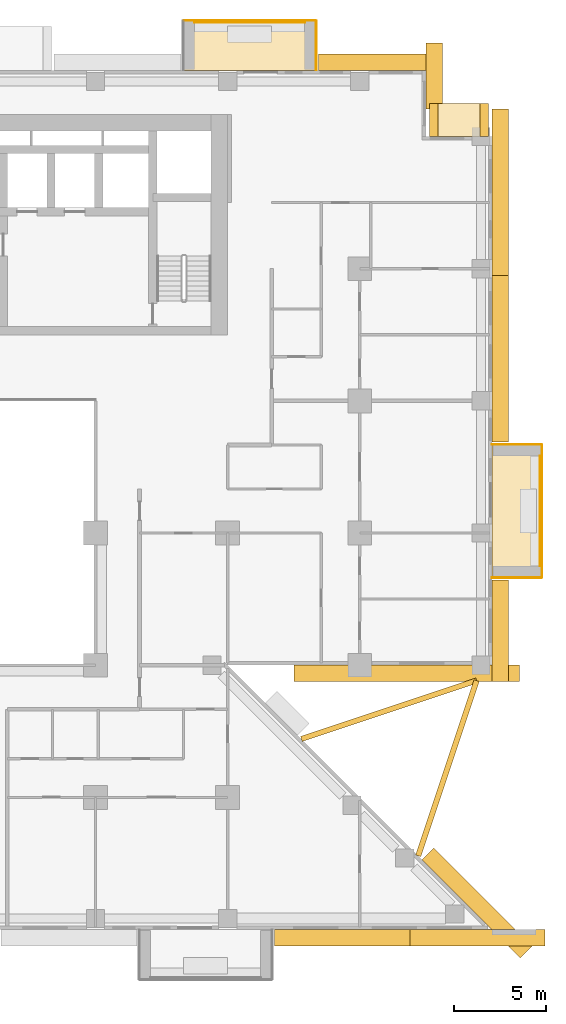
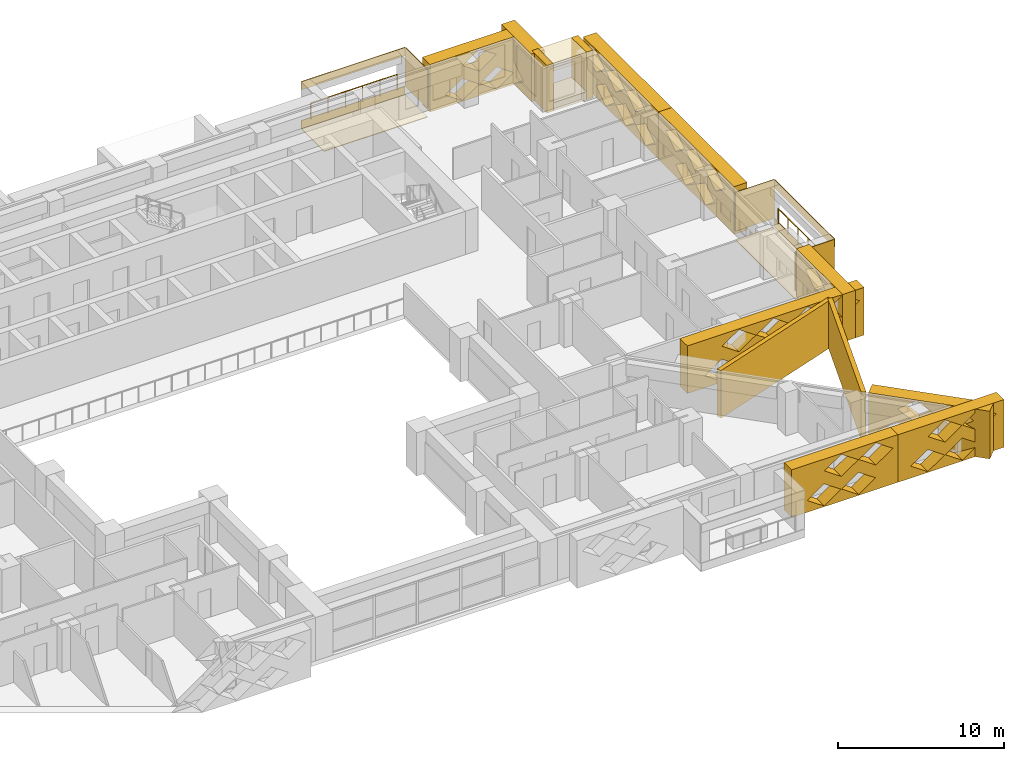
# One storey, part 16 of 16: 24 coverings, 2 railings.
"""IFC4 building model written with IfcOpenShell, lengths in metres."""

from ifc_helpers import new_model, si_unit, direction, frame, origin, origin_2d, place, context, subcontext, project, spatial, polyline, circle, outline, extrude, material, layer, layer_set, type_object, element, save


model = new_model("IFC4")

# Units and contexts
model_context = context("Model", 3, precision=1e-05, world=origin(), true_north=direction((0.0, 1.0)))
body_context = subcontext(model_context, "Body", "Model", "MODEL_VIEW")
ifc_project = project(units=[si_unit("LENGTHUNIT", "METRE"), si_unit("AREAUNIT", "SQUARE_METRE"), si_unit("VOLUMEUNIT", "CUBIC_METRE"), si_unit("PLANEANGLEUNIT", "RADIAN"), si_unit("MASSUNIT", "GRAM", prefix="KILO")], contexts=[model_context])

# Site, building, storey
site_placement = place(None, origin())
site = spatial("IfcSite", under=ifc_project, at=site_placement, CompositionType="ELEMENT")
building_placement = place(site_placement, origin())
building = spatial("IfcBuilding", under=site, at=building_placement, Name="Saffron Iwan Residences", CompositionType="ELEMENT")
storey_placement = place(building_placement, frame((0.0, 0.0, 69.0)))
storey = spatial("IfcBuildingStorey", under=building, at=storey_placement, Name="L17", CompositionType="ELEMENT", Elevation=69.0)

# Railings
ifc_material_1 = material(Name="Stainless steel 316", Category="steel")
railing_type = type_object("IfcRailingType", Name="BALCONY GUARD 1150", PredefinedType="GUARDRAIL", material=ifc_material_1)
railing_1_placement = place(storey_placement, frame((89.02490234375, 53.39990234375, 0.0)))
element("IfcRailing", 1, at=railing_1_placement, inside=storey, type_object=railing_type, Name="Balcony guard L17 F2-0", PredefinedType="GUARDRAIL", context=body_context, shape_type="SweptSolid", body=[
    extrude(circle(Radius=0.02392578125, at=origin_2d()), frame((0.0, 0.0, 1.1259765625), z_axis=(0.0, 1.0, 0.0), x_axis=(-1.0, 0.0, 0.0)), (0.0, 0.0, 1.0), 6.0),
    extrude(circle(Radius=0.02099609375, at=origin_2d()), origin(), (0.0, 0.0, 1.0), 1.101806640625),
    extrude(circle(Radius=0.02099609375, at=origin_2d()), frame((0.0, 1.199951171875, 0.0)), (0.0, 0.0, 1.0), 1.101806640625),
    extrude(circle(Radius=0.02099609375, at=origin_2d()), frame((0.0, 2.39990234375, 0.0)), (0.0, 0.0, 1.0), 1.101806640625),
    extrude(circle(Radius=0.02099609375, at=origin_2d()), frame((0.0, 3.60009765625, 0.0)), (0.0, 0.0, 1.0), 1.101806640625),
    extrude(circle(Radius=0.02099609375, at=origin_2d()), frame((0.0, 4.800048828125, 0.0)), (0.0, 0.0, 1.0), 1.101806640625),
    extrude(circle(Radius=0.02099609375, at=origin_2d()), frame((0.0, 6.0, 0.0)), (0.0, 0.0, 1.0), 1.101806640625),
])
railing_2_placement = place(storey_placement, frame((76.199951171875, 83.02490234375, 0.0)))
element("IfcRailing", 2, at=railing_2_placement, inside=storey, type_object=railing_type, Name="Balcony guard L17 F5-0", PredefinedType="GUARDRAIL", context=body_context, shape_type="SweptSolid", body=[
    extrude(circle(Radius=0.02392578125, at=origin_2d()), frame((0.0, 0.0, 1.1259765625), z_axis=(-1.0, 0.0, 0.0), x_axis=(0.0, -1.0, 0.0)), (0.0, 0.0, 1.0), 6.0),
    extrude(circle(Radius=0.02099609375, at=origin_2d()), origin(), (0.0, 0.0, 1.0), 1.101806640625),
    extrude(circle(Radius=0.02099609375, at=origin_2d()), frame((-1.199951171875, 0.0, 0.0)), (0.0, 0.0, 1.0), 1.101806640625),
    extrude(circle(Radius=0.02099609375, at=origin_2d()), frame((-2.39990234375, 0.0, 0.0)), (0.0, 0.0, 1.0), 1.101806640625),
    extrude(circle(Radius=0.02099609375, at=origin_2d()), frame((-3.60009765625, 0.0, 0.0)), (0.0, 0.0, 1.0), 1.101806640625),
    extrude(circle(Radius=0.02099609375, at=origin_2d()), frame((-4.800048828125, 0.0, 0.0)), (0.0, 0.0, 1.0), 1.101806640625),
    extrude(circle(Radius=0.02099609375, at=origin_2d()), frame((-6.0, 0.0, 0.0)), (0.0, 0.0, 1.0), 1.101806640625),
])

# Coverings
ifc_material_2 = material(Name="Precast concrete C40/50 white painted", Category="concrete")
ifc_layer_1 = layer(ifc_material_2, 0.050048828125)
ifc_layer_set_1 = layer_set([ifc_layer_1], Name="Precast concrete C40/50 white painted")
covering_type_1 = type_object("IfcCoveringType", Name="FRAME SKIN PRECAST WHITE 50", PredefinedType="CLADDING", material=ifc_layer_set_1)
for number, where, name in (
    (3, (0.0, 0.0, -0.60009765625), "Frame skin slab edge L17 F2-0"),
    (4, (0.0, 0.0, 2.25), "Frame skin fascia L17 F2-0"),
):
    element("IfcCovering", number, at=place(storey_placement, frame(where)), inside=storey, type_object=covering_type_1, Name=name, PredefinedType="CLADDING", context=body_context, shape_type="SweptSolid", body=[
        extrude(outline(polyline([(89.14990234375, 52.800048828125), (89.14990234375, 60.0), (89.10009765625, 60.0), (89.10009765625, 52.800048828125), (89.14990234375, 52.800048828125)])), origin(), (0.0, 0.0, 1.0), 0.60009765625),
    ])
covering_1_placement = place(storey_placement, frame((0.0, 0.0, -0.64990234375)))
element("IfcCovering", 5, at=covering_1_placement, inside=storey, type_object=covering_type_1, Name="Frame skin soffit L17 F2-0", PredefinedType="CLADDING", context=body_context, shape_type="SweptSolid", body=[
    extrude(outline(polyline([(89.10009765625, 52.800048828125), (89.10009765625, 60.0), (86.39990234375, 60.0), (86.39990234375, 52.800048828125), (89.10009765625, 52.800048828125)])), origin(), (0.0, 0.0, 1.0), 0.0498046875),
])
covering_2_placement = place(storey_placement, origin())
element("IfcCovering", 6, at=covering_2_placement, inside=storey, type_object=covering_type_1, Name="Frame skin fin L17 F2-0a", PredefinedType="CLADDING", context=body_context, shape_type="SweptSolid", body=[
    extrude(outline(polyline([(89.10009765625, 52.75), (89.10009765625, 52.800048828125), (86.39990234375, 52.800048828125), (86.39990234375, 52.75), (89.10009765625, 52.75)])), origin(), (0.0, 0.0, 1.0), 2.85009765625),
])
covering_3_placement = place(storey_placement, origin())
element("IfcCovering", 7, at=covering_3_placement, inside=storey, type_object=covering_type_1, Name="Frame skin fin L17 F2-0b", PredefinedType="CLADDING", context=body_context, shape_type="SweptSolid", body=[
    extrude(outline(polyline([(89.10009765625, 60.0), (89.10009765625, 60.050048828125), (86.39990234375, 60.050048828125), (86.39990234375, 60.0), (89.10009765625, 60.0)])), origin(), (0.0, 0.0, 1.0), 2.85009765625),
])
for number, where, name in (
    (8, (0.0, 0.0, -0.60009765625), "Frame skin slab edge L17 F5-0"),
    (9, (0.0, 0.0, 2.25), "Frame skin fascia L17 F5-0"),
):
    element("IfcCovering", number, at=place(storey_placement, frame(where)), inside=storey, type_object=covering_type_1, Name=name, PredefinedType="CLADDING", context=body_context, shape_type="SweptSolid", body=[
        extrude(outline(polyline([(76.800048828125, 83.14990234375), (69.60009765625, 83.14990234375), (69.60009765625, 83.10009765625), (76.800048828125, 83.10009765625), (76.800048828125, 83.14990234375)])), origin(), (0.0, 0.0, 1.0), 0.60009765625),
    ])
covering_4_placement = place(storey_placement, frame((0.0, 0.0, -0.64990234375)))
element("IfcCovering", 10, at=covering_4_placement, inside=storey, type_object=covering_type_1, Name="Frame skin soffit L17 F5-0", PredefinedType="CLADDING", context=body_context, shape_type="SweptSolid", body=[
    extrude(outline(polyline([(76.800048828125, 83.10009765625), (69.60009765625, 83.10009765625), (69.60009765625, 80.39990234375), (76.800048828125, 80.39990234375), (76.800048828125, 83.10009765625)])), origin(), (0.0, 0.0, 1.0), 0.0498046875),
])
covering_5_placement = place(storey_placement, origin())
element("IfcCovering", 11, at=covering_5_placement, inside=storey, type_object=covering_type_1, Name="Frame skin fin L17 F5-0a", PredefinedType="CLADDING", context=body_context, shape_type="SweptSolid", body=[
    extrude(outline(polyline([(76.85009765625, 83.10009765625), (76.800048828125, 83.10009765625), (76.800048828125, 80.39990234375), (76.85009765625, 80.39990234375), (76.85009765625, 83.10009765625)])), origin(), (0.0, 0.0, 1.0), 2.85009765625),
])
ifc_material_3 = material(Name="Precast concrete C40/50", Category="concrete")
covering_type_2 = type_object("IfcCoveringType", Name="OUTER SKIN LATTICE SCREEN", PredefinedType="CLADDING", material=ifc_material_3)
covering_6_placement = place(storey_placement, frame((87.939453125, 32.060546875, -0.320068359375), z_axis=(0.706971125213, 0.70724241114, 0.0), x_axis=(-0.70724241114, 0.706971125213, 0.0)))
element("IfcCovering", 12, at=covering_6_placement, inside=storey, type_object=covering_type_2, Name="OUTER SKIN lattice screen L17 F0.0", PredefinedType="CLADDING", context=body_context, shape_type="SweptSolid", body=[
    extrude(outline(polyline([(0.0, 0.0), (7.559326171875, 0.0), (7.559326171875, 3.5), (0.0, 3.5), (0.0, 0.0)]), holes=[polyline([(2.197021484375, 0.875), (3.377197265625, 0.06005859375), (4.55712890625, 0.875), (3.377197265625, 1.68994140625), (2.197021484375, 0.875)]), polyline([(4.59716796875, 0.875), (5.777099609375, 0.06005859375), (6.95703125, 0.875), (5.777099609375, 1.68994140625), (4.59716796875, 0.875)]), polyline([(0.9970703125, 2.625), (2.177001953125, 1.81005859375), (3.357177734375, 2.625), (2.177001953125, 3.43994140625), (0.9970703125, 2.625)]), polyline([(3.397216796875, 2.625), (4.5771484375, 1.81005859375), (5.757080078125, 2.625), (4.5771484375, 3.43994140625), (3.397216796875, 2.625)])]), origin(), (0.0, 0.0, 1.0), 0.89990234375),
])
covering_7_placement = place(storey_placement, frame((75.6171875, 48.0, -0.320068359375), z_axis=(0.0, -1.0, 0.0), x_axis=(1.0, 0.0, 0.0)))
element("IfcCovering", 13, at=covering_7_placement, inside=storey, type_object=covering_type_2, Name="OUTER SKIN lattice screen L17 F1.0", PredefinedType="CLADDING", context=body_context, shape_type="SweptSolid", body=[
    extrude(outline(polyline([(0.0, 0.0), (12.282958984375, 0.0), (12.282958984375, 3.5), (0.0, 3.5), (0.0, 0.0)]), holes=[polyline([(1.202880859375, 0.875), (2.3828125, 0.06005859375), (3.56298828125, 0.875), (2.3828125, 1.68994140625), (1.202880859375, 0.875)]), polyline([(3.602783203125, 0.875), (4.782958984375, 0.06005859375), (5.962890625, 0.875), (4.782958984375, 1.68994140625), (3.602783203125, 0.875)]), polyline([(6.0029296875, 0.875), (7.182861328125, 0.06005859375), (8.36279296875, 0.875), (7.182861328125, 1.68994140625), (6.0029296875, 0.875)]), polyline([(8.40283203125, 0.875), (9.5830078125, 0.06005859375), (10.762939453125, 0.875), (9.5830078125, 1.68994140625), (8.40283203125, 0.875)]), polyline([(2.40283203125, 2.625), (3.5830078125, 1.81005859375), (4.762939453125, 2.625), (3.5830078125, 3.43994140625), (2.40283203125, 2.625)]), polyline([(4.802978515625, 2.625), (5.98291015625, 1.81005859375), (7.162841796875, 2.625), (5.98291015625, 3.43994140625), (4.802978515625, 2.625)]), polyline([(7.202880859375, 2.625), (8.3828125, 1.81005859375), (9.56298828125, 2.625), (8.3828125, 3.43994140625), (7.202880859375, 2.625)]), polyline([(9.602783203125, 2.625), (10.782958984375, 1.81005859375), (11.962890625, 2.625), (10.782958984375, 3.43994140625), (9.602783203125, 2.625)])]), origin(), (0.0, 0.0, 1.0), 0.89990234375),
])
covering_8_placement = place(storey_placement, frame((86.39990234375, 47.10009765625, -0.320068359375), z_axis=(1.0, 0.0, 0.0), x_axis=(0.0, 1.0, 0.0)))
element("IfcCovering", 14, at=covering_8_placement, inside=storey, type_object=covering_type_2, Name="OUTER SKIN lattice screen L17 F2.0", PredefinedType="CLADDING", context=body_context, shape_type="SweptSolid", body=[
    extrude(outline(polyline([(0.0, 0.0), (5.550048828125, 0.0), (5.550048828125, 3.5), (0.0, 3.5), (0.0, 0.0)]), holes=[polyline([(0.919921875, 0.875), (2.10009765625, 0.06005859375), (3.280029296875, 0.875), (2.10009765625, 1.68994140625), (0.919921875, 0.875)]), polyline([(2.1201171875, 2.625), (3.300048828125, 1.81005859375), (4.47998046875, 2.625), (3.300048828125, 3.43994140625), (2.1201171875, 2.625)])]), origin(), (0.0, 0.0, 1.0), 0.900146484375),
])
covering_9_placement = place(storey_placement, frame((86.39990234375, 60.14990234375, -0.320068359375), z_axis=(1.0, 0.0, 0.0), x_axis=(0.0, 1.0, 0.0)))
element("IfcCovering", 15, at=covering_9_placement, inside=storey, type_object=covering_type_2, Name="OUTER SKIN lattice screen L17 F2.1", PredefinedType="CLADDING", context=body_context, shape_type="SweptSolid", body=[
    extrude(outline(polyline([(0.0, 0.0), (9.074951171875, 0.0), (9.074951171875, 3.5), (0.0, 3.5), (0.0, 0.0)]), holes=[polyline([(2.27001953125, 0.875), (3.449951171875, 0.06005859375), (4.6298828125, 0.875), (3.449951171875, 1.68994140625), (2.27001953125, 0.875)]), polyline([(4.669921875, 0.875), (5.85009765625, 0.06005859375), (7.030029296875, 0.875), (5.85009765625, 1.68994140625), (4.669921875, 0.875)]), polyline([(1.070068359375, 2.625), (2.25, 1.81005859375), (3.429931640625, 2.625), (2.25, 3.43994140625), (1.070068359375, 2.625)]), polyline([(3.469970703125, 2.625), (4.64990234375, 1.81005859375), (5.830078125, 2.625), (4.64990234375, 3.43994140625), (3.469970703125, 2.625)]), polyline([(5.8701171875, 2.625), (7.050048828125, 1.81005859375), (8.22998046875, 2.625), (7.050048828125, 3.43994140625), (5.8701171875, 2.625)])]), origin(), (0.0, 0.0, 1.0), 0.900146484375),
])
covering_10_placement = place(storey_placement, frame((86.39990234375, 69.22509765625, -0.320068359375), z_axis=(1.0, 0.0, 0.0), x_axis=(0.0, 1.0, 0.0)))
element("IfcCovering", 16, at=covering_10_placement, inside=storey, type_object=covering_type_2, Name="OUTER SKIN lattice screen L17 F2.2", PredefinedType="CLADDING", context=body_context, shape_type="SweptSolid", body=[
    extrude(outline(polyline([(0.0, 0.0), (9.074951171875, 0.0), (9.074951171875, 3.5), (0.0, 3.5), (0.0, 0.0)]), holes=[polyline([(0.39501953125, 0.875), (1.574951171875, 0.06005859375), (2.7548828125, 0.875), (1.574951171875, 1.68994140625), (0.39501953125, 0.875)]), polyline([(2.794921875, 0.875), (3.97509765625, 0.06005859375), (5.155029296875, 0.875), (3.97509765625, 1.68994140625), (2.794921875, 0.875)]), polyline([(5.195068359375, 0.875), (6.375, 0.06005859375), (7.554931640625, 0.875), (6.375, 1.68994140625), (5.195068359375, 0.875)]), polyline([(1.594970703125, 2.625), (2.77490234375, 1.81005859375), (3.955078125, 2.625), (2.77490234375, 3.43994140625), (1.594970703125, 2.625)]), polyline([(3.9951171875, 2.625), (5.175048828125, 1.81005859375), (6.35498046875, 2.625), (5.175048828125, 3.43994140625), (3.9951171875, 2.625)]), polyline([(6.39501953125, 2.625), (7.574951171875, 1.81005859375), (8.7548828125, 2.625), (7.574951171875, 3.43994140625), (6.39501953125, 2.625)])]), origin(), (0.0, 0.0, 1.0), 0.900146484375),
])
covering_11_placement = place(storey_placement, frame((82.800048828125, 78.300048828125, -0.320068359375), z_axis=(1.0, 0.0, 0.0), x_axis=(0.0, 1.0, 0.0)))
element("IfcCovering", 17, at=covering_11_placement, inside=storey, type_object=covering_type_2, Name="OUTER SKIN lattice screen L17 F4.0", PredefinedType="CLADDING", context=body_context, shape_type="SweptSolid", body=[
    extrude(outline(polyline([(0.0, 0.0), (3.60009765625, 0.0), (3.60009765625, 3.5), (0.0, 3.5), (0.0, 0.0)]), holes=[polyline([(0.919921875, 0.875), (2.10009765625, 0.06005859375), (3.280029296875, 0.875), (2.10009765625, 1.68994140625), (0.919921875, 0.875)])]), origin(), (0.0, 0.0, 1.0), 0.89990234375),
])
covering_12_placement = place(storey_placement, frame((83.699951171875, 80.39990234375, -0.320068359375), z_axis=(0.0, 1.0, 0.0), x_axis=(-1.0, 0.0, 0.0)))
element("IfcCovering", 18, at=covering_12_placement, inside=storey, type_object=covering_type_2, Name="OUTER SKIN lattice screen L17 F5.0", PredefinedType="CLADDING", context=body_context, shape_type="SweptSolid", body=[
    extrude(outline(polyline([(0.0, 0.0), (6.75, 0.0), (6.75, 3.5), (0.0, 3.5), (0.0, 0.0)]), holes=[polyline([(0.919921875, 0.875), (2.10009765625, 0.06005859375), (3.280029296875, 0.875), (2.10009765625, 1.68994140625), (0.919921875, 0.875)]), polyline([(3.320068359375, 0.875), (4.5, 0.06005859375), (5.679931640625, 0.875), (4.5, 1.68994140625), (3.320068359375, 0.875)]), polyline([(2.1201171875, 2.625), (3.300048828125, 1.81005859375), (4.47998046875, 2.625), (3.300048828125, 3.43994140625), (2.1201171875, 2.625)])]), origin(), (0.0, 0.0, 1.0), 0.900146484375),
])
covering_13_placement = place(storey_placement, frame((74.550048828125, 33.60009765625, -0.320068359375), z_axis=(0.0, -1.0, 0.0), x_axis=(1.0, 0.0, 0.0)))
element("IfcCovering", 19, at=covering_13_placement, inside=storey, type_object=covering_type_2, Name="OUTER SKIN lattice screen L17 F11.3", PredefinedType="CLADDING", context=body_context, shape_type="SweptSolid", body=[
    extrude(outline(polyline([(0.0, 0.0), (7.37353515625, 0.0), (7.37353515625, 3.5), (0.0, 3.5), (0.0, 0.0)]), holes=[polyline([(1.070068359375, 0.875), (2.25, 0.06005859375), (3.429931640625, 0.875), (2.25, 1.68994140625), (1.070068359375, 0.875)]), polyline([(3.469970703125, 0.875), (4.64990234375, 0.06005859375), (5.830078125, 0.875), (4.64990234375, 1.68994140625), (3.469970703125, 0.875)]), polyline([(2.27001953125, 2.625), (3.449951171875, 1.81005859375), (4.6298828125, 2.625), (3.449951171875, 3.43994140625), (2.27001953125, 2.625)]), polyline([(4.669921875, 2.625), (5.85009765625, 1.81005859375), (7.030029296875, 2.625), (5.85009765625, 3.43994140625), (4.669921875, 2.625)])]), origin(), (0.0, 0.0, 1.0), 0.900146484375),
])
covering_14_placement = place(storey_placement, frame((81.923583984375, 33.60009765625, -0.320068359375), z_axis=(0.0, -1.0, 0.0), x_axis=(1.0, 0.0, 0.0)))
element("IfcCovering", 20, at=covering_14_placement, inside=storey, type_object=covering_type_2, Name="OUTER SKIN lattice screen L17 F11.4", PredefinedType="CLADDING", context=body_context, shape_type="SweptSolid", body=[
    extrude(outline(polyline([(0.0, 0.0), (7.37353515625, 0.0), (7.37353515625, 3.5), (0.0, 3.5), (0.0, 0.0)]), holes=[polyline([(0.896484375, 0.875), (2.076416015625, 0.06005859375), (3.256591796875, 0.875), (2.076416015625, 1.68994140625), (0.896484375, 0.875)]), polyline([(3.29638671875, 0.875), (4.4765625, 0.06005859375), (5.656494140625, 0.875), (4.4765625, 1.68994140625), (3.29638671875, 0.875)]), polyline([(2.096435546875, 2.625), (3.276611328125, 1.81005859375), (4.45654296875, 2.625), (3.276611328125, 3.43994140625), (2.096435546875, 2.625)]), polyline([(4.49658203125, 2.625), (5.676513671875, 1.81005859375), (6.8564453125, 2.625), (5.676513671875, 3.43994140625), (4.49658203125, 2.625)])]), origin(), (0.0, 0.0, 1.0), 0.900146484375),
])
ifc_layer_2 = layer(ifc_material_2, 0.300048828125)
ifc_layer_set_2 = layer_set([ifc_layer_2], Name="Precast concrete C40/50 white painted")
covering_type_3 = type_object("IfcCoveringType", Name="PROW NOSE BLADE PRECAST WHITE", PredefinedType="CLADDING", material=ifc_layer_set_2)
covering_15_placement = place(storey_placement, frame((0.0, 0.0, -0.320068359375)))
element("IfcCovering", 21, at=covering_15_placement, inside=storey, type_object=covering_type_3, Name="Prow nose blade L17 a", PredefinedType="CLADDING", context=body_context, shape_type="SweptSolid", body=[
    extrude(outline(polyline([(82.5244140625, 37.570556640625), (85.706298828125, 47.116455078125), (85.421630859375, 47.21142578125), (82.23974609375, 37.66552734375), (82.5244140625, 37.570556640625)])), origin(), (0.0, 0.0, 1.0), 3.5),
])
covering_16_placement = place(storey_placement, frame((0.0, 0.0, -0.320068359375)))
element("IfcCovering", 22, at=covering_16_placement, inside=storey, type_object=covering_type_3, Name="Prow nose blade L17 b", PredefinedType="CLADDING", context=body_context, shape_type="SweptSolid", body=[
    extrude(outline(polyline([(76.0654296875, 43.839599609375), (85.611328125, 47.021728515625), (85.5166015625, 47.306396484375), (75.970703125, 44.124267578125), (76.0654296875, 43.839599609375)])), origin(), (0.0, 0.0, 1.0), 3.5),
])
covering_type_4 = type_object("IfcCoveringType", Name="WHITE SUN FRAME PRECAST", PredefinedType="CLADDING", material=ifc_material_2)
for number, where, z_axis, x_axis, name in (
    (23, (86.199951171875, 76.800048828125, -0.320068359375), (0.0, 1.0, 0.0), (-1.0, 0.0, 0.0), "Sun frame L17 F3 0.2a"),
    (24, (83.449951171875, 76.800048828125, -0.320068359375), (0.0, 1.0, 0.0), (-1.0, 0.0, 0.0), "Sun frame L17 F3 0.2b"),
):
    element("IfcCovering", number, at=place(storey_placement, frame(where, z_axis=z_axis, x_axis=x_axis)), inside=storey, type_object=covering_type_4, Name=name, PredefinedType="CLADDING", context=body_context, shape_type="SweptSolid", body=[
        extrude(outline(polyline([(0.0, 0.0), (0.449951171875, 0.0), (0.449951171875, 3.5), (0.0, 3.5), (0.0, 0.0)])), origin(), (0.0, 0.0, 1.0), 1.800048828125),
    ])
for number, where, z_axis, x_axis, name in (
    (25, (85.75, 76.800048828125, 2.580078125), (0.0, 1.0, 0.0), (-1.0, 0.0, 0.0), "Sun frame L17 F3 0.2h"),
    (26, (85.75, 76.800048828125, -0.320068359375), (0.0, 1.0, 0.0), (-1.0, 0.0, 0.0), "Sun frame L17 F3 0.2s"),
):
    element("IfcCovering", number, at=place(storey_placement, frame(where, z_axis=z_axis, x_axis=x_axis)), inside=storey, type_object=covering_type_4, Name=name, PredefinedType="CLADDING", context=body_context, shape_type="SweptSolid", body=[
        extrude(outline(polyline([(0.0, 0.0), (2.300048828125, 0.0), (2.300048828125, 0.60009765625), (0.0, 0.60009765625), (0.0, 0.0)])), origin(), (0.0, 0.0, 1.0), 1.800048828125),
    ])

save(model, "model.ifc")
